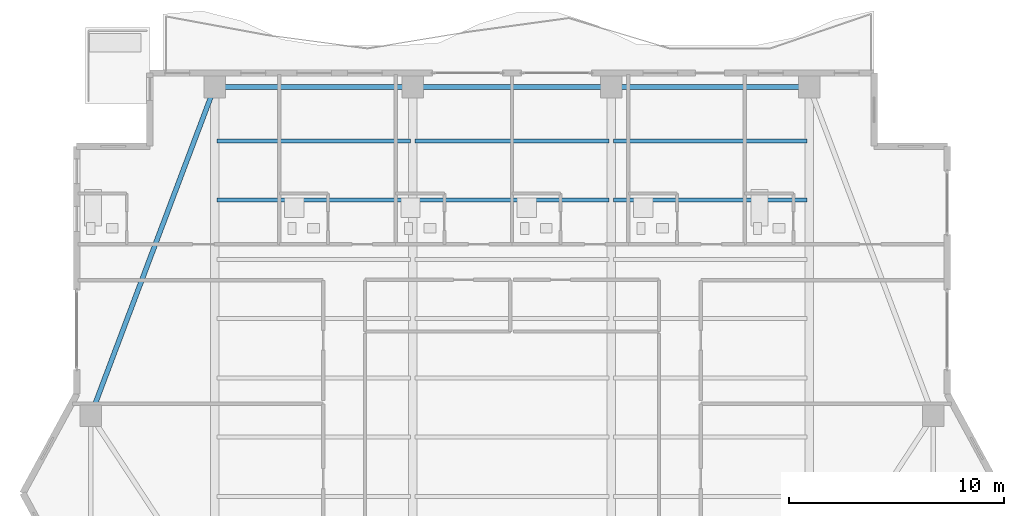
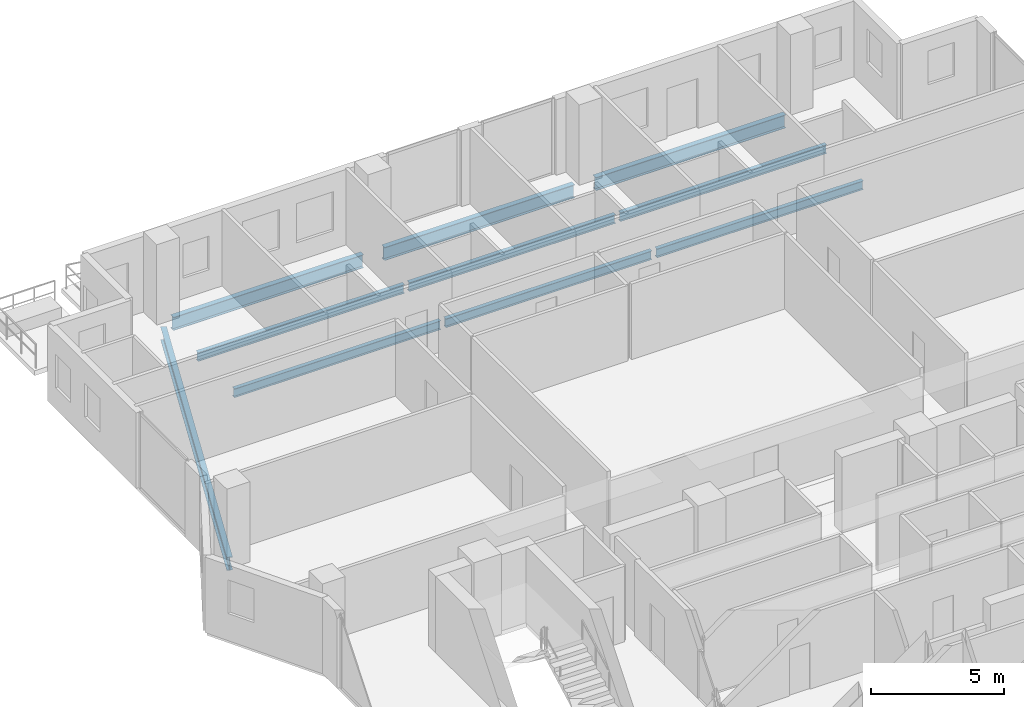
# One storey, part 13 of 24: 10 beams.
"""IFC4 building model written with IfcOpenShell, lengths in metres."""

import ifcopenshell
import ifcopenshell.guid

model = None  # the IFC model being written
_history = None  # IfcOwnerHistory: only IFC2X3 demands one
_inside = {}  # id of a spatial element -> (the spatial element, [elements in it])
_under = {}  # id of a project, library or spatial element -> (it, [spatial elements below it])
_declared = {}  # id of a project -> (the project, [libraries it declares])
_typed = {}  # id of a type object -> (the type object, [elements of that type])
_made_of = {}  # id of a material, layer set ... -> (it, [elements and type objects made of it])


def new_model(schema):
    """Start an empty IFC model of exactly this schema.

    Asked for "IFC4X3", IfcOpenShell would pick the latest addendum, in which some entities
    have other attributes; the version numbers below select the first issue.
    IFC2X3 requires an IfcOwnerHistory on every rooted entity: one is made here for all.
    """
    global model, _history
    if schema == "IFC4X3":
        model = ifcopenshell.file(schema_version=(4, 3, 0, 0))
    else:
        model = ifcopenshell.file(schema=schema)
    _inside.clear()
    _under.clear()
    _declared.clear()
    _typed.clear()
    _made_of.clear()
    _history = None
    if model.schema == "IFC2X3":
        org = make("IfcOrganization", Name="unknown")
        user = make(
            "IfcPersonAndOrganization",
            ThePerson=make("IfcPerson", FamilyName="unknown"),
            TheOrganization=org,
        )
        app = make(
            "IfcApplication",
            ApplicationDeveloper=org,
            Version="unknown",
            ApplicationFullName="unknown",
            ApplicationIdentifier="unknown",
        )
        _history = make(
            "IfcOwnerHistory",
            OwningUser=user,
            OwningApplication=app,
            ChangeAction="ADDED",
            CreationDate=0,
        )
    return model


def make(cls, **values):
    """One entity of the class cls with the attributes given. An attribute that is None is left unset."""
    return model.create_entity(
        cls, **{name: value for name, value in values.items() if value is not None}
    )


def rooted(cls, **values):
    """An entity with a GlobalId (a new one), such as an element, a storey or a relation."""
    return make(cls, GlobalId=ifcopenshell.guid.new(), OwnerHistory=_history, **values)


def si_unit(unit_type, name, prefix=None):
    """IfcSIUnit, for example si_unit("LENGTHUNIT", "METRE", prefix="MILLI")."""
    return make("IfcSIUnit", UnitType=unit_type, Prefix=prefix, Name=name)


def assignment(units):
    """IfcUnitAssignment: the units of a project."""
    return None if units is None else make("IfcUnitAssignment", Units=units)


def point(xyz):
    """IfcCartesianPoint."""
    return None if xyz is None else make("IfcCartesianPoint", Coordinates=xyz)


def direction(xyz):
    """IfcDirection."""
    return None if xyz is None else make("IfcDirection", DirectionRatios=xyz)


def frame(location, z_axis=None, x_axis=None):
    """IfcAxis2Placement3D, a coordinate frame: its origin and axes. An axis left out is left unset."""
    return make(
        "IfcAxis2Placement3D",
        Location=point(location),
        Axis=direction(z_axis),
        RefDirection=direction(x_axis),
    )


def frame_2d(location, x_axis=None):
    """IfcAxis2Placement2D, a coordinate frame in the plane: its origin and x axis."""
    return make(
        "IfcAxis2Placement2D", Location=point(location), RefDirection=direction(x_axis)
    )


def origin():
    """The frame at (0, 0, 0) with its axes left unset."""
    return frame((0.0, 0.0, 0.0))


def origin_2d():
    """The frame at (0, 0) in the plane with its x axis left unset."""
    return frame_2d((0.0, 0.0))


def place(relative_to, where):
    """IfcLocalPlacement: puts the frame where relative to a parent placement (None: the world)."""
    return make(
        "IfcLocalPlacement", PlacementRelTo=relative_to, RelativePlacement=where
    )


def context(
    kind, dimensions, precision=None, world=None, true_north=None, identifier=None
):
    """IfcGeometricRepresentationContext, for example the 3D "Model" context."""
    return make(
        "IfcGeometricRepresentationContext",
        ContextIdentifier=identifier,
        ContextType=kind,
        CoordinateSpaceDimension=dimensions,
        Precision=precision,
        WorldCoordinateSystem=world,
        TrueNorth=true_north,
    )


def subcontext(parent, identifier, kind, view, scale=None):
    """IfcGeometricRepresentationSubContext, for example "Body" below "Model"."""
    return make(
        "IfcGeometricRepresentationSubContext",
        ContextIdentifier=identifier,
        ContextType=kind,
        ParentContext=parent,
        TargetScale=scale,
        TargetView=view,
    )


def project(units=None, contexts=None):
    """IfcProject with its units and contexts."""
    return rooted(
        "IfcProject",
        Name="project",
        RepresentationContexts=contexts,
        UnitsInContext=assignment(units),
    )


def spatial(cls, under=None, at=None, **own):
    """A site, building, storey or space (cls), placed at a placement, below another one or the project."""
    s = rooted(cls, ObjectPlacement=at, **own)
    if under is not None:
        _under.setdefault(under.id(), (under, []))[1].append(s)
    return s


def profile(cls, at=None, kind="AREA", **sizes):
    """A parametric profile (cls). Its sizes go by their IFC names, for example OverallWidth=200.0."""
    return make(cls, ProfileType=kind, Position=at, **sizes)


def i_section(**sizes):
    """IfcIShapeProfileDef."""
    return profile("IfcIShapeProfileDef", **sizes)


def extrude(swept, where, along, depth):
    """IfcExtrudedAreaSolid: the profile swept, set in the frame where, extruded along a direction by depth."""
    return make(
        "IfcExtrudedAreaSolid",
        SweptArea=swept,
        Position=where,
        ExtrudedDirection=direction(along),
        Depth=depth,
    )


def shape(context_of_items, identifier, shape_type, items):
    """IfcShapeRepresentation: the items that make up one representation, for example the "Body"."""
    return make(
        "IfcShapeRepresentation",
        ContextOfItems=context_of_items,
        RepresentationIdentifier=identifier,
        RepresentationType=shape_type,
        Items=items,
    )


def material(Name=None, Category=None):
    """IfcMaterial."""
    return make("IfcMaterial", Name=Name, Category=Category)


def material_profile(
    of_material, cross_section, Name=None, Category=None, Priority=None
):
    """IfcMaterialProfile: a cross section and its material."""
    return make(
        "IfcMaterialProfile",
        Name=Name,
        Material=of_material,
        Profile=cross_section,
        Priority=Priority,
        Category=Category,
    )


def profile_set(profiles, Name=None, composite=None):
    """IfcMaterialProfileSet."""
    return make(
        "IfcMaterialProfileSet",
        Name=Name,
        MaterialProfiles=profiles,
        CompositeProfile=composite,
    )


def made_of(thing, what):
    """Note that an element or type object is made of a material, layer set ...; save() writes the relation."""
    if what is not None:
        _made_of.setdefault(what.id(), (what, []))[1].append(thing)
    return thing


def type_object(cls, material=None, **own):
    """A type object (cls), such as IfcWallType, which elements share."""
    return made_of(rooted(cls, **own), material)


def element(
    cls,
    number,
    at=None,
    inside=None,
    cuts=None,
    type_object=None,
    material=None,
    context=None,
    identifier="Body",
    shape_type=None,
    held_by="IfcProductDefinitionShape",
    body=None,
    shapes=None,
    **own,
):
    """One element of the class cls, such as IfcWall. Its Tag is "e" and its number.

    at: its placement. inside: the storey or other place that contains it. cuts: it is an
    opening in that element (IfcRelVoidsElement). A single representation is given by context,
    identifier, shape_type and body (its items); several are given by shapes. held_by: the class
    of the entity that holds the representations. save() writes the other relations.
    """
    e = rooted(cls, Tag="e%d" % number, ObjectPlacement=at, **own)
    if body is not None:
        shapes = [shape(context, identifier, shape_type, body)]
    if shapes is not None:
        e.Representation = make(held_by, Representations=shapes)
    if inside is not None:
        _inside.setdefault(inside.id(), (inside, []))[1].append(e)
    if cuts is not None:
        rooted(
            "IfcRelVoidsElement", RelatingBuildingElement=cuts, RelatedOpeningElement=e
        )
    if type_object is not None:
        _typed.setdefault(type_object.id(), (type_object, []))[1].append(e)
    return made_of(e, material)


def aggregate(whole, parts):
    """IfcRelAggregates: a whole, such as a stair, and the parts it consists of."""
    return rooted("IfcRelAggregates", RelatingObject=whole, RelatedObjects=parts)


def save(model, path):
    """Write the relations noted so far, then the file.

    IfcRelAggregates (storeys below a building ...), IfcRelContainedInSpatialStructure (elements
    in a storey), IfcRelDefinesByType, IfcRelAssociatesMaterial and IfcRelDeclares: one each for
    every whole, place, type object, material and project.
    """
    for whole, parts in _under.values():
        aggregate(whole, parts)
    for where, things in _inside.values():
        rooted(
            "IfcRelContainedInSpatialStructure",
            RelatedElements=things,
            RelatingStructure=where,
        )
    for kind, things in _typed.values():
        rooted("IfcRelDefinesByType", RelatedObjects=things, RelatingType=kind)
    for what, things in _made_of.values():
        rooted("IfcRelAssociatesMaterial", RelatedObjects=things, RelatingMaterial=what)
    for by, libraries in _declared.values():
        rooted("IfcRelDeclares", RelatingContext=by, RelatedDefinitions=libraries)
    model.write(path)


model = new_model("IFC4")

# Units and contexts
model_context = context("Model", 3, precision=1e-05, world=origin(), true_north=direction((0.0, 1.0)))
body_context = subcontext(model_context, "Body", "Model", "MODEL_VIEW")
ifc_project = project(units=[si_unit("LENGTHUNIT", "METRE"), si_unit("AREAUNIT", "SQUARE_METRE"), si_unit("VOLUMEUNIT", "CUBIC_METRE"), si_unit("PLANEANGLEUNIT", "RADIAN"), si_unit("MASSUNIT", "GRAM", prefix="KILO")], contexts=[model_context])

# Site, building, storey
site_placement = place(None, origin())
site = spatial("IfcSite", under=ifc_project, at=site_placement, CompositionType="ELEMENT")
building_placement = place(site_placement, origin())
building = spatial("IfcBuilding", under=site, at=building_placement, Name="Zuhayl Quay Hotel", CompositionType="ELEMENT")
storey_placement = place(building_placement, frame((0.0, 0.0, 276.64990234375)))
storey = spatial("IfcBuildingStorey", under=building, at=storey_placement, Name="L70", CompositionType="ELEMENT", Elevation=276.64990234375)

# Beams
ifc_material = material(Name="Steel ASTM A992 Grade 50", Category="steel")
ifc_material_profile_1 = material_profile(ifc_material, i_section(OverallWidth=0.22802734375, OverallDepth=0.60693359375, WebThickness=0.01123046875, FlangeThickness=0.017333984375, at=origin_2d()), Name="W24X76")
ifc_profile_set_1 = profile_set([ifc_material_profile_1], Name="Steel ASTM A992 Grade 50")
beam_type_1 = type_object("IfcBeamType", Name="BM_B3_W24X76", PredefinedType="BEAM", material=ifc_profile_set_1)
beam_1_placement = place(storey_placement, frame((13.340087890625, 38.35009765625, -0.5234375), z_axis=(-1.0, 0.0, 0.0), x_axis=(0.0, -1.0, 0.0)))
element("IfcBeam", 1, at=beam_1_placement, inside=storey, type_object=beam_type_1, Name="L70 Floor Beam RG_L70_07", PredefinedType="BEAM", context=body_context, shape_type="SweptSolid", body=[
    extrude(i_section(OverallWidth=0.22802734375, OverallDepth=0.60693359375, WebThickness=0.01123046875, FlangeThickness=0.017333984375, at=origin_2d()), origin(), (0.0, 0.0, 1.0), 8.280029296875),
])
beam_2_placement = place(storey_placement, frame((4.139892578125, 38.35009765625, -0.5234375), z_axis=(-1.0, 0.0, 0.0), x_axis=(0.0, -1.0, 0.0)))
element("IfcBeam", 2, at=beam_2_placement, inside=storey, type_object=beam_type_1, Name="L70 Floor Beam RG_L70_08", PredefinedType="BEAM", context=body_context, shape_type="SweptSolid", body=[
    extrude(i_section(OverallWidth=0.22802734375, OverallDepth=0.60693359375, WebThickness=0.01123046875, FlangeThickness=0.017333984375, at=origin_2d()), origin(), (0.0, 0.0, 1.0), 8.27978515625),
])
beam_3_placement = place(storey_placement, frame((-5.06005859375, 38.35009765625, -0.5234375), z_axis=(-1.0, 0.0, 0.0), x_axis=(0.0, -1.0, 0.0)))
element("IfcBeam", 3, at=beam_3_placement, inside=storey, type_object=beam_type_1, Name="L70 Floor Beam RG_L70_09", PredefinedType="BEAM", context=body_context, shape_type="SweptSolid", body=[
    extrude(i_section(OverallWidth=0.22802734375, OverallDepth=0.60693359375, WebThickness=0.01123046875, FlangeThickness=0.017333984375, at=origin_2d()), origin(), (0.0, 0.0, 1.0), 8.280029296875),
])
beam_4_placement = place(storey_placement, frame((-13.96240234375, 37.919677734375, -0.5234375), z_axis=(-0.352796603103, -0.935700035716, 0.0), x_axis=(0.935700035716, -0.352796603103, 0.0)))
element("IfcBeam", 4, at=beam_4_placement, inside=storey, type_object=beam_type_1, Name="L70 Floor Beam RG_L70_10", PredefinedType="BEAM", context=body_context, shape_type="SweptSolid", body=[
    extrude(i_section(OverallWidth=0.22802734375, OverallDepth=0.60693359375, WebThickness=0.01123046875, FlangeThickness=0.017333984375, at=origin_2d()), origin(), (0.0, 0.0, 1.0), 15.3779296875),
])
ifc_material_profile_2 = material_profile(ifc_material, i_section(OverallWidth=0.177978515625, OverallDepth=0.404052734375, WebThickness=0.007568359375, FlangeThickness=0.010986328125, at=origin_2d()), Name="W16X36")
ifc_profile_set_2 = profile_set([ifc_material_profile_2], Name="Steel ASTM A992 Grade 50")
beam_type_2 = type_object("IfcBeamType", Name="BM_J3_W16X36", PredefinedType="JOIST", material=ifc_profile_set_2)
beam_5_placement = place(storey_placement, frame((-13.694091796875, 33.10009765625, -0.421875), z_axis=(1.0, 0.0, 0.0), x_axis=(0.0, 1.0, 0.0)))
element("IfcBeam", 5, at=beam_5_placement, inside=storey, type_object=beam_type_2, Name="L70 Floor Beam FJ_L70_7_1", PredefinedType="JOIST", context=body_context, shape_type="SweptSolid", body=[
    extrude(i_section(OverallWidth=0.177978515625, OverallDepth=0.404052734375, WebThickness=0.007568359375, FlangeThickness=0.010986328125, at=origin_2d()), origin(), (0.0, 0.0, 1.0), 8.988037109375),
])
beam_6_placement = place(storey_placement, frame((-4.493896484375, 33.10009765625, -0.421875), z_axis=(1.0, 0.0, 0.0), x_axis=(0.0, 1.0, 0.0)))
element("IfcBeam", 6, at=beam_6_placement, inside=storey, type_object=beam_type_2, Name="L70 Floor Beam FJ_L70_7_2", PredefinedType="JOIST", context=body_context, shape_type="SweptSolid", body=[
    extrude(i_section(OverallWidth=0.177978515625, OverallDepth=0.404052734375, WebThickness=0.007568359375, FlangeThickness=0.010986328125, at=origin_2d()), origin(), (0.0, 0.0, 1.0), 8.98779296875),
])
for number, where, z_axis, x_axis, name in (
    (7, (4.7060546875, 33.10009765625, -0.421875), (1.0, 0.0, 0.0), (0.0, 1.0, 0.0), "L70 Floor Beam FJ_L70_7_3"),
    (8, (-13.694091796875, 35.85009765625, -0.421875), (1.0, 0.0, 0.0), (0.0, 1.0, 0.0), "L70 Floor Beam FJ_L70_8_1"),
):
    element("IfcBeam", number, at=place(storey_placement, frame(where, z_axis=z_axis, x_axis=x_axis)), inside=storey, type_object=beam_type_2, Name=name, PredefinedType="JOIST", context=body_context, shape_type="SweptSolid", body=[
        extrude(i_section(OverallWidth=0.177978515625, OverallDepth=0.404052734375, WebThickness=0.007568359375, FlangeThickness=0.010986328125, at=origin_2d()), origin(), (0.0, 0.0, 1.0), 8.988037109375),
    ])
beam_7_placement = place(storey_placement, frame((-4.493896484375, 35.85009765625, -0.421875), z_axis=(1.0, 0.0, 0.0), x_axis=(0.0, 1.0, 0.0)))
element("IfcBeam", 9, at=beam_7_placement, inside=storey, type_object=beam_type_2, Name="L70 Floor Beam FJ_L70_8_2", PredefinedType="JOIST", context=body_context, shape_type="SweptSolid", body=[
    extrude(i_section(OverallWidth=0.177978515625, OverallDepth=0.404052734375, WebThickness=0.007568359375, FlangeThickness=0.010986328125, at=origin_2d()), origin(), (0.0, 0.0, 1.0), 8.98779296875),
])
beam_8_placement = place(storey_placement, frame((4.7060546875, 35.85009765625, -0.421875), z_axis=(1.0, 0.0, 0.0), x_axis=(0.0, 1.0, 0.0)))
element("IfcBeam", 10, at=beam_8_placement, inside=storey, type_object=beam_type_2, Name="L70 Floor Beam FJ_L70_8_3", PredefinedType="JOIST", context=body_context, shape_type="SweptSolid", body=[
    extrude(i_section(OverallWidth=0.177978515625, OverallDepth=0.404052734375, WebThickness=0.007568359375, FlangeThickness=0.010986328125, at=origin_2d()), origin(), (0.0, 0.0, 1.0), 8.988037109375),
])

save(model, "model.ifc")
